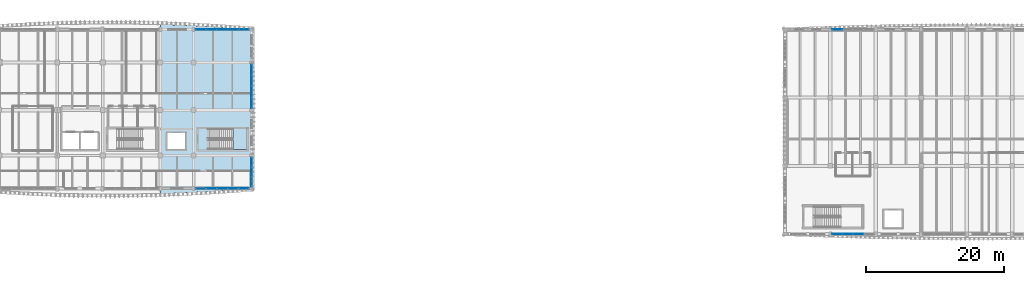
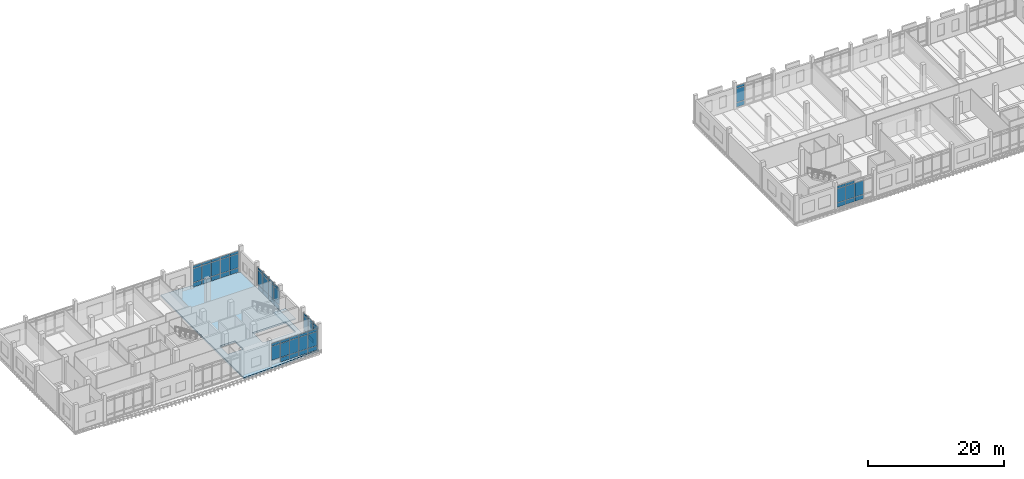
# One storey, part 15 of 39: 61 plates, 2 slabs, 7 elements without a shape of their own.
"""IFC4 building model written with IfcOpenShell, lengths in metres."""

from ifc_helpers import new_model, si_unit, direction, frame, origin, origin_2d, place, context, subcontext, project, spatial, polyline, rectangle, outline, extrude, material, layer, layer_set, type_object, element, aggregate, save


model = new_model("IFC4")

# Units and contexts
model_context = context("Model", 3, precision=1e-05, world=origin(), true_north=direction((0.0, 1.0)))
body_context = subcontext(model_context, "Body", "Model", "MODEL_VIEW")
ifc_project = project(units=[si_unit("LENGTHUNIT", "METRE"), si_unit("AREAUNIT", "SQUARE_METRE"), si_unit("VOLUMEUNIT", "CUBIC_METRE"), si_unit("PLANEANGLEUNIT", "RADIAN"), si_unit("MASSUNIT", "GRAM", prefix="KILO")], contexts=[model_context])

# Site, building, storey
site_placement = place(None, origin())
site = spatial("IfcSite", under=ifc_project, at=site_placement, CompositionType="ELEMENT")
building_placement = place(site_placement, origin())
building = spatial("IfcBuilding", under=site, at=building_placement, Name="Dornvale Research Institute", CompositionType="ELEMENT")
storey_placement = place(building_placement, frame((0.0, 0.0, 24.60009765625)))
storey = spatial("IfcBuildingStorey", under=building, at=storey_placement, Name="L05", CompositionType="ELEMENT", Elevation=24.60009765625)

# Curtain wall, plate
ifc_material_1 = material(Name="Low-E Argon Double Insulating Glazing Unit", Category="glass")
curtain_wall_type_1 = type_object("IfcCurtainWallType", Name="UnitisedCurtainWall_V4_6150x3950", PredefinedType="USERDEFINED", material=ifc_material_1)
curtain_wall_1_placement = place(storey_placement, origin())
curtain_wall_1 = element("IfcCurtainWall", 1, at=curtain_wall_1_placement, inside=storey, type_object=curtain_wall_type_1, Name="L05 V4 unitised curtain wall CW-15 #109", ObjectType="UNITISED CURTAIN WALL", PredefinedType="USERDEFINED")
ifc_material_2 = material(Name="Insulated Ceramic-Frit Spandrel Glass Panel", Category="glass")
ifc_layer_1 = layer(ifc_material_2, 0.0419921875)
ifc_layer_set_1 = layer_set([ifc_layer_1], Name="Insulated Ceramic-Frit Spandrel Glass Panel")
plate_type_1 = type_object("IfcPlateType", Name="CurtainPanel_Spandrel_42", PredefinedType="CURTAIN_PANEL", material=ifc_layer_set_1)
plate_1_placement = place(storey_placement, frame((126.409912109375, 122.10009765625, 0.06494140625), z_axis=(0.0, 0.0, 1.0), x_axis=(1.0, 0.0, 0.0)))
plate_1 = element("IfcPlate", 2, at=plate_1_placement, type_object=plate_type_1, Name="CW-15 panel 1.1", PredefinedType="CURTAIN_PANEL", context=body_context, shape_type="SweptSolid", body=[
    extrude(rectangle(XDim=1.43994140625, YDim=0.0419921875, at=origin_2d()), origin(), (0.0, 0.0, 1.0), 0.75244140625),
])

# Curtain wall, plates
curtain_wall_2_placement = place(storey_placement, origin())
curtain_wall_2 = element("IfcCurtainWall", 3, at=curtain_wall_2_placement, inside=storey, type_object=curtain_wall_type_1, Name="L05 V4 unitised curtain wall CW-15 #116", ObjectType="UNITISED CURTAIN WALL", PredefinedType="USERDEFINED")
plate_2_placement = place(storey_placement, frame((129.46875, 92.39990234375, 0.06494140625), z_axis=(0.0, 0.0, 1.0), x_axis=(-1.0, 0.0, 0.0)))
plate_2 = element("IfcPlate", 4, at=plate_2_placement, type_object=plate_type_1, Name="CW-15 panel 2.1", PredefinedType="CURTAIN_PANEL", context=body_context, shape_type="SweptSolid", body=[
    extrude(rectangle(XDim=1.472412109375, YDim=0.0419921875, at=origin_2d()), origin(), (0.0, 0.0, 1.0), 0.75244140625),
])
plate_3_placement = place(storey_placement, frame((127.93115234375, 92.39990234375, 0.06494140625), z_axis=(0.0, 0.0, 1.0), x_axis=(-1.0, 0.0, 0.0)))
plate_3 = element("IfcPlate", 5, at=plate_3_placement, type_object=plate_type_1, Name="CW-15 panel 3.1", PredefinedType="CURTAIN_PANEL", context=body_context, shape_type="SweptSolid", body=[
    extrude(rectangle(XDim=1.472412109375, YDim=0.0419921875, at=origin_2d()), origin(), (0.0, 0.0, 1.0), 0.75244140625),
])
plate_4_placement = place(storey_placement, frame((126.409912109375, 92.39990234375, 0.06494140625), z_axis=(0.0, 0.0, 1.0), x_axis=(-1.0, 0.0, 0.0)))
plate_4 = element("IfcPlate", 6, at=plate_4_placement, type_object=plate_type_1, Name="CW-15 panel 4.1", PredefinedType="CURTAIN_PANEL", context=body_context, shape_type="SweptSolid", body=[
    extrude(rectangle(XDim=1.43994140625, YDim=0.0419921875, at=origin_2d()), origin(), (0.0, 0.0, 1.0), 0.75244140625),
])

ifc_material_3 = material(Name="Low-E Argon Double Insulating Glazing Unit", Category="glass")
curtain_wall_type_2 = type_object("IfcCurtainWallType", Name="UnitisedCurtainWall_V5_7850x3950", PredefinedType="USERDEFINED", material=ifc_material_3)
curtain_wall_3_placement = place(storey_placement, origin())
curtain_wall_3 = element("IfcCurtainWall", 7, at=curtain_wall_3_placement, inside=storey, type_object=curtain_wall_type_2, Name="L05 V5 unitised curtain wall CW-31 #167", ObjectType="UNITISED CURTAIN WALL", PredefinedType="USERDEFINED")
plate_5_placement = place(storey_placement, frame((34.0263671875, 122.10009765625, 0.06494140625), z_axis=(0.0, 0.0, 1.0), x_axis=(1.0, 0.0, 0.0)))
plate_5 = element("IfcPlate", 8, at=plate_5_placement, type_object=plate_type_1, Name="CW-31 panel 1.1", PredefinedType="CURTAIN_PANEL", context=body_context, shape_type="SweptSolid", body=[
    extrude(rectangle(XDim=1.472412109375, YDim=0.0419921875, at=origin_2d()), origin(), (0.0, 0.0, 1.0), 0.75244140625),
])
plate_6_placement = place(storey_placement, frame((35.580078125, 122.10009765625, 0.06494140625), z_axis=(0.0, 0.0, 1.0), x_axis=(1.0, 0.0, 0.0)))
plate_6 = element("IfcPlate", 9, at=plate_6_placement, type_object=plate_type_1, Name="CW-31 panel 2.1", PredefinedType="CURTAIN_PANEL", context=body_context, shape_type="SweptSolid", body=[
    extrude(rectangle(XDim=1.5048828125, YDim=0.0419921875, at=origin_2d()), origin(), (0.0, 0.0, 1.0), 0.75244140625),
])
plate_7_placement = place(storey_placement, frame((37.14990234375, 122.10009765625, 0.06494140625), z_axis=(0.0, 0.0, 1.0), x_axis=(1.0, 0.0, 0.0)))
plate_7 = element("IfcPlate", 10, at=plate_7_placement, type_object=plate_type_1, Name="CW-31 panel 3.1", PredefinedType="CURTAIN_PANEL", context=body_context, shape_type="SweptSolid", body=[
    extrude(rectangle(XDim=1.5048828125, YDim=0.0419921875, at=origin_2d()), origin(), (0.0, 0.0, 1.0), 0.75244140625),
])
plate_8_placement = place(storey_placement, frame((38.719970703125, 122.10009765625, 0.06494140625), z_axis=(0.0, 0.0, 1.0), x_axis=(1.0, 0.0, 0.0)))
plate_8 = element("IfcPlate", 11, at=plate_8_placement, type_object=plate_type_1, Name="CW-31 panel 4.1", PredefinedType="CURTAIN_PANEL", context=body_context, shape_type="SweptSolid", body=[
    extrude(rectangle(XDim=1.5048828125, YDim=0.0419921875, at=origin_2d()), origin(), (0.0, 0.0, 1.0), 0.75244140625),
])
plate_9_placement = place(storey_placement, frame((40.273681640625, 122.10009765625, 0.06494140625), z_axis=(0.0, 0.0, 1.0), x_axis=(1.0, 0.0, 0.0)))
plate_9 = element("IfcPlate", 12, at=plate_9_placement, type_object=plate_type_1, Name="CW-31 panel 5.1", PredefinedType="CURTAIN_PANEL", context=body_context, shape_type="SweptSolid", body=[
    extrude(rectangle(XDim=1.472412109375, YDim=0.0419921875, at=origin_2d()), origin(), (0.0, 0.0, 1.0), 0.75244140625),
])

ifc_material_4 = material(Name="Low-E Argon Double Insulating Glazing Unit", Category="glass")
curtain_wall_type_3 = type_object("IfcCurtainWallType", Name="UnitisedCurtainWall_V5_6450x3950", PredefinedType="USERDEFINED", material=ifc_material_4)
curtain_wall_4_placement = place(storey_placement, origin())
curtain_wall_4 = element("IfcCurtainWall", 13, at=curtain_wall_4_placement, inside=storey, type_object=curtain_wall_type_3, Name="L05 V5 unitised curtain wall CW-32 #168", ObjectType="UNITISED CURTAIN WALL", PredefinedType="USERDEFINED")
plate_10_placement = place(storey_placement, frame((41.39990234375, 116.25244140625, 0.06494140625), z_axis=(0.0, 0.0, 1.0), x_axis=(0.0, -1.0, 0.0)))
plate_10 = element("IfcPlate", 14, at=plate_10_placement, type_object=plate_type_1, Name="CW-32 panel 1.1", PredefinedType="CURTAIN_PANEL", context=body_context, shape_type="SweptSolid", body=[
    extrude(rectangle(XDim=1.514892578125, YDim=0.0419921875, at=origin_2d()), origin(), (0.0, 0.0, 1.0), 0.75244140625),
])
plate_11_placement = place(storey_placement, frame((41.39990234375, 114.65625, 0.06494140625), z_axis=(0.0, 0.0, 1.0), x_axis=(0.0, -1.0, 0.0)))
plate_11 = element("IfcPlate", 15, at=plate_11_placement, type_object=plate_type_1, Name="CW-32 panel 2.1", PredefinedType="CURTAIN_PANEL", context=body_context, shape_type="SweptSolid", body=[
    extrude(rectangle(XDim=1.547607421875, YDim=0.0419921875, at=origin_2d()), origin(), (0.0, 0.0, 1.0), 0.75244140625),
])
plate_12_placement = place(storey_placement, frame((41.39990234375, 113.043701171875, 0.06494140625), z_axis=(0.0, 0.0, 1.0), x_axis=(0.0, -1.0, 0.0)))
plate_12 = element("IfcPlate", 16, at=plate_12_placement, type_object=plate_type_1, Name="CW-32 panel 3.1", PredefinedType="CURTAIN_PANEL", context=body_context, shape_type="SweptSolid", body=[
    extrude(rectangle(XDim=1.547607421875, YDim=0.0419921875, at=origin_2d()), origin(), (0.0, 0.0, 1.0), 0.75244140625),
])
plate_13_placement = place(storey_placement, frame((41.39990234375, 111.447509765625, 0.06494140625), z_axis=(0.0, 0.0, 1.0), x_axis=(0.0, -1.0, 0.0)))
plate_13 = element("IfcPlate", 17, at=plate_13_placement, type_object=plate_type_1, Name="CW-32 panel 4.1", PredefinedType="CURTAIN_PANEL", context=body_context, shape_type="SweptSolid", body=[
    extrude(rectangle(XDim=1.514892578125, YDim=0.0419921875, at=origin_2d()), origin(), (0.0, 0.0, 1.0), 0.75244140625),
])

ifc_material_5 = material(Name="Low-E Argon Double Insulating Glazing Unit", Category="glass")
curtain_wall_type_4 = type_object("IfcCurtainWallType", Name="UnitisedCurtainWall_V5_4350x3950", PredefinedType="USERDEFINED", material=ifc_material_5)
curtain_wall_5_placement = place(storey_placement, origin())
curtain_wall_5 = element("IfcCurtainWall", 18, at=curtain_wall_5_placement, inside=storey, type_object=curtain_wall_type_4, Name="L05 V5 unitised curtain wall CW-33 #169", ObjectType="UNITISED CURTAIN WALL", PredefinedType="USERDEFINED")
plate_14_placement = place(storey_placement, frame((41.39990234375, 102.833740234375, 0.06494140625), z_axis=(0.0, 0.0, 1.0), x_axis=(0.0, -1.0, 0.0)))
plate_14 = element("IfcPlate", 19, at=plate_14_placement, type_object=plate_type_1, Name="CW-33 panel 1.1", PredefinedType="CURTAIN_PANEL", context=body_context, shape_type="SweptSolid", body=[
    extrude(rectangle(XDim=1.3525390625, YDim=0.0419921875, at=origin_2d()), origin(), (0.0, 0.0, 1.0), 0.75244140625),
])
plate_15_placement = place(storey_placement, frame((41.39990234375, 101.39990234375, 0.06494140625), z_axis=(0.0, 0.0, 1.0), x_axis=(0.0, -1.0, 0.0)))
plate_15 = element("IfcPlate", 20, at=plate_15_placement, type_object=plate_type_1, Name="CW-33 panel 2.1", PredefinedType="CURTAIN_PANEL", context=body_context, shape_type="SweptSolid", body=[
    extrude(rectangle(XDim=1.385009765625, YDim=0.0419921875, at=origin_2d()), origin(), (0.0, 0.0, 1.0), 0.75244140625),
])
plate_16_placement = place(storey_placement, frame((41.39990234375, 99.96630859375, 0.06494140625), z_axis=(0.0, 0.0, 1.0), x_axis=(0.0, -1.0, 0.0)))
plate_16 = element("IfcPlate", 21, at=plate_16_placement, type_object=plate_type_1, Name="CW-33 panel 3.1", PredefinedType="CURTAIN_PANEL", context=body_context, shape_type="SweptSolid", body=[
    extrude(rectangle(XDim=1.3525390625, YDim=0.0419921875, at=origin_2d()), origin(), (0.0, 0.0, 1.0), 0.75244140625),
])

curtain_wall_6_placement = place(storey_placement, origin())
curtain_wall_6 = element("IfcCurtainWall", 22, at=curtain_wall_6_placement, inside=storey, type_object=curtain_wall_type_2, Name="L05 V5 unitised curtain wall CW-31 #170", ObjectType="UNITISED CURTAIN WALL", PredefinedType="USERDEFINED")
plate_17_placement = place(storey_placement, frame((40.273681640625, 99.0, 0.06494140625), z_axis=(0.0, 0.0, 1.0), x_axis=(-1.0, 0.0, 0.0)))
plate_17 = element("IfcPlate", 23, at=plate_17_placement, type_object=plate_type_1, Name="CW-31 panel 1.1", PredefinedType="CURTAIN_PANEL", context=body_context, shape_type="SweptSolid", body=[
    extrude(rectangle(XDim=1.472412109375, YDim=0.0419921875, at=origin_2d()), origin(), (0.0, 0.0, 1.0), 0.75244140625),
])
plate_18_placement = place(storey_placement, frame((38.719970703125, 99.0, 0.06494140625), z_axis=(0.0, 0.0, 1.0), x_axis=(-1.0, 0.0, 0.0)))
plate_18 = element("IfcPlate", 24, at=plate_18_placement, type_object=plate_type_1, Name="CW-31 panel 2.1", PredefinedType="CURTAIN_PANEL", context=body_context, shape_type="SweptSolid", body=[
    extrude(rectangle(XDim=1.5048828125, YDim=0.0419921875, at=origin_2d()), origin(), (0.0, 0.0, 1.0), 0.75244140625),
])
plate_19_placement = place(storey_placement, frame((37.14990234375, 99.0, 0.06494140625), z_axis=(0.0, 0.0, 1.0), x_axis=(-1.0, 0.0, 0.0)))
plate_19 = element("IfcPlate", 25, at=plate_19_placement, type_object=plate_type_1, Name="CW-31 panel 3.1", PredefinedType="CURTAIN_PANEL", context=body_context, shape_type="SweptSolid", body=[
    extrude(rectangle(XDim=1.5048828125, YDim=0.0419921875, at=origin_2d()), origin(), (0.0, 0.0, 1.0), 0.75244140625),
])
plate_20_placement = place(storey_placement, frame((35.580078125, 99.0, 0.06494140625), z_axis=(0.0, 0.0, 1.0), x_axis=(-1.0, 0.0, 0.0)))
plate_20 = element("IfcPlate", 26, at=plate_20_placement, type_object=plate_type_1, Name="CW-31 panel 4.1", PredefinedType="CURTAIN_PANEL", context=body_context, shape_type="SweptSolid", body=[
    extrude(rectangle(XDim=1.5048828125, YDim=0.0419921875, at=origin_2d()), origin(), (0.0, 0.0, 1.0), 0.75244140625),
])

# Plate
ifc_material_6 = material(Name="Low-E Argon Double Insulating Glazing Unit", Category="glass")
ifc_layer_2 = layer(ifc_material_6, 0.028076171875)
ifc_layer_set_2 = layer_set([ifc_layer_2], Name="Low-E Argon Double Insulating Glazing Unit")
plate_type_2 = type_object("IfcPlateType", Name="CurtainPanel_Vision_28", PredefinedType="CURTAIN_PANEL", material=ifc_layer_set_2)
plate_21_placement = place(storey_placement, frame((126.409912109375, 122.10009765625, 0.88232421875), z_axis=(0.0, 0.0, 1.0), x_axis=(1.0, 0.0, 0.0)))
plate_21 = element("IfcPlate", 27, at=plate_21_placement, type_object=plate_type_2, Name="CW-15 panel 1.2", PredefinedType="CURTAIN_PANEL", context=body_context, shape_type="SweptSolid", body=[
    extrude(rectangle(XDim=1.43994140625, YDim=0.028076171875, at=origin_2d()), origin(), (0.0, 0.0, 1.0), 2.485107421875),
])

plate_22_placement = place(storey_placement, frame((126.409912109375, 122.10009765625, 3.4326171875), z_axis=(0.0, 0.0, 1.0), x_axis=(1.0, 0.0, 0.0)))
plate_22 = element("IfcPlate", 28, at=plate_22_placement, type_object=plate_type_2, Name="CW-15 panel 1.3", PredefinedType="CURTAIN_PANEL", context=body_context, shape_type="SweptSolid", body=[
    extrude(rectangle(XDim=1.43994140625, YDim=0.028076171875, at=origin_2d()), origin(), (0.0, 0.0, 1.0), 0.452392578125),
])

aggregate(curtain_wall_1, [plate_1, plate_21, plate_22])

plate_23_placement = place(storey_placement, frame((129.46875, 92.39990234375, 0.88232421875), z_axis=(0.0, 0.0, 1.0), x_axis=(-1.0, 0.0, 0.0)))
plate_23 = element("IfcPlate", 29, at=plate_23_placement, type_object=plate_type_2, Name="CW-15 panel 2.2", PredefinedType="CURTAIN_PANEL", context=body_context, shape_type="SweptSolid", body=[
    extrude(rectangle(XDim=1.472412109375, YDim=0.028076171875, at=origin_2d()), origin(), (0.0, 0.0, 1.0), 2.485107421875),
])

plate_24_placement = place(storey_placement, frame((127.93115234375, 92.39990234375, 0.88232421875), z_axis=(0.0, 0.0, 1.0), x_axis=(-1.0, 0.0, 0.0)))
plate_24 = element("IfcPlate", 30, at=plate_24_placement, type_object=plate_type_2, Name="CW-15 panel 3.2", PredefinedType="CURTAIN_PANEL", context=body_context, shape_type="SweptSolid", body=[
    extrude(rectangle(XDim=1.472412109375, YDim=0.028076171875, at=origin_2d()), origin(), (0.0, 0.0, 1.0), 2.485107421875),
])

plate_25_placement = place(storey_placement, frame((127.93115234375, 92.39990234375, 3.4326171875), z_axis=(0.0, 0.0, 1.0), x_axis=(-1.0, 0.0, 0.0)))
plate_25 = element("IfcPlate", 31, at=plate_25_placement, type_object=plate_type_2, Name="CW-15 panel 3.3", PredefinedType="CURTAIN_PANEL", context=body_context, shape_type="SweptSolid", body=[
    extrude(rectangle(XDim=1.472412109375, YDim=0.028076171875, at=origin_2d()), origin(), (0.0, 0.0, 1.0), 0.452392578125),
])

plate_26_placement = place(storey_placement, frame((126.409912109375, 92.39990234375, 0.88232421875), z_axis=(0.0, 0.0, 1.0), x_axis=(-1.0, 0.0, 0.0)))
plate_26 = element("IfcPlate", 32, at=plate_26_placement, type_object=plate_type_2, Name="CW-15 panel 4.2", PredefinedType="CURTAIN_PANEL", context=body_context, shape_type="SweptSolid", body=[
    extrude(rectangle(XDim=1.43994140625, YDim=0.028076171875, at=origin_2d()), origin(), (0.0, 0.0, 1.0), 2.485107421875),
])

plate_27_placement = place(storey_placement, frame((126.409912109375, 92.39990234375, 3.4326171875), z_axis=(0.0, 0.0, 1.0), x_axis=(-1.0, 0.0, 0.0)))
plate_27 = element("IfcPlate", 33, at=plate_27_placement, type_object=plate_type_2, Name="CW-15 panel 4.3", PredefinedType="CURTAIN_PANEL", context=body_context, shape_type="SweptSolid", body=[
    extrude(rectangle(XDim=1.43994140625, YDim=0.028076171875, at=origin_2d()), origin(), (0.0, 0.0, 1.0), 0.452392578125),
])

aggregate(curtain_wall_2, [plate_2, plate_23, plate_3, plate_24, plate_25, plate_4, plate_26, plate_27])

plate_28_placement = place(storey_placement, frame((34.0263671875, 122.10009765625, 0.88232421875), z_axis=(0.0, 0.0, 1.0), x_axis=(1.0, 0.0, 0.0)))
plate_28 = element("IfcPlate", 34, at=plate_28_placement, type_object=plate_type_2, Name="CW-31 panel 1.2", PredefinedType="CURTAIN_PANEL", context=body_context, shape_type="SweptSolid", body=[
    extrude(rectangle(XDim=1.472412109375, YDim=0.028076171875, at=origin_2d()), origin(), (0.0, 0.0, 1.0), 2.485107421875),
])

plate_29_placement = place(storey_placement, frame((34.0263671875, 122.10009765625, 3.4326171875), z_axis=(0.0, 0.0, 1.0), x_axis=(1.0, 0.0, 0.0)))
plate_29 = element("IfcPlate", 35, at=plate_29_placement, type_object=plate_type_2, Name="CW-31 panel 1.3", PredefinedType="CURTAIN_PANEL", context=body_context, shape_type="SweptSolid", body=[
    extrude(rectangle(XDim=1.472412109375, YDim=0.028076171875, at=origin_2d()), origin(), (0.0, 0.0, 1.0), 0.452392578125),
])

plate_30_placement = place(storey_placement, frame((35.580078125, 122.10009765625, 0.88232421875), z_axis=(0.0, 0.0, 1.0), x_axis=(1.0, 0.0, 0.0)))
plate_30 = element("IfcPlate", 36, at=plate_30_placement, type_object=plate_type_2, Name="CW-31 panel 2.2", PredefinedType="CURTAIN_PANEL", context=body_context, shape_type="SweptSolid", body=[
    extrude(rectangle(XDim=1.5048828125, YDim=0.028076171875, at=origin_2d()), origin(), (0.0, 0.0, 1.0), 2.485107421875),
])

plate_31_placement = place(storey_placement, frame((35.580078125, 122.10009765625, 3.4326171875), z_axis=(0.0, 0.0, 1.0), x_axis=(1.0, 0.0, 0.0)))
plate_31 = element("IfcPlate", 37, at=plate_31_placement, type_object=plate_type_2, Name="CW-31 panel 2.3", PredefinedType="CURTAIN_PANEL", context=body_context, shape_type="SweptSolid", body=[
    extrude(rectangle(XDim=1.5048828125, YDim=0.028076171875, at=origin_2d()), origin(), (0.0, 0.0, 1.0), 0.452392578125),
])

plate_32_placement = place(storey_placement, frame((37.14990234375, 122.10009765625, 0.88232421875), z_axis=(0.0, 0.0, 1.0), x_axis=(1.0, 0.0, 0.0)))
plate_32 = element("IfcPlate", 38, at=plate_32_placement, type_object=plate_type_2, Name="CW-31 panel 3.2", PredefinedType="CURTAIN_PANEL", context=body_context, shape_type="SweptSolid", body=[
    extrude(rectangle(XDim=1.5048828125, YDim=0.028076171875, at=origin_2d()), origin(), (0.0, 0.0, 1.0), 2.485107421875),
])

plate_33_placement = place(storey_placement, frame((37.14990234375, 122.10009765625, 3.4326171875), z_axis=(0.0, 0.0, 1.0), x_axis=(1.0, 0.0, 0.0)))
plate_33 = element("IfcPlate", 39, at=plate_33_placement, type_object=plate_type_2, Name="CW-31 panel 3.3", PredefinedType="CURTAIN_PANEL", context=body_context, shape_type="SweptSolid", body=[
    extrude(rectangle(XDim=1.5048828125, YDim=0.028076171875, at=origin_2d()), origin(), (0.0, 0.0, 1.0), 0.452392578125),
])

plate_34_placement = place(storey_placement, frame((38.719970703125, 122.10009765625, 0.88232421875), z_axis=(0.0, 0.0, 1.0), x_axis=(1.0, 0.0, 0.0)))
plate_34 = element("IfcPlate", 40, at=plate_34_placement, type_object=plate_type_2, Name="CW-31 panel 4.2", PredefinedType="CURTAIN_PANEL", context=body_context, shape_type="SweptSolid", body=[
    extrude(rectangle(XDim=1.5048828125, YDim=0.028076171875, at=origin_2d()), origin(), (0.0, 0.0, 1.0), 2.485107421875),
])

plate_35_placement = place(storey_placement, frame((38.719970703125, 122.10009765625, 3.4326171875), z_axis=(0.0, 0.0, 1.0), x_axis=(1.0, 0.0, 0.0)))
plate_35 = element("IfcPlate", 41, at=plate_35_placement, type_object=plate_type_2, Name="CW-31 panel 4.3", PredefinedType="CURTAIN_PANEL", context=body_context, shape_type="SweptSolid", body=[
    extrude(rectangle(XDim=1.5048828125, YDim=0.028076171875, at=origin_2d()), origin(), (0.0, 0.0, 1.0), 0.452392578125),
])

plate_36_placement = place(storey_placement, frame((40.273681640625, 122.10009765625, 0.88232421875), z_axis=(0.0, 0.0, 1.0), x_axis=(1.0, 0.0, 0.0)))
plate_36 = element("IfcPlate", 42, at=plate_36_placement, type_object=plate_type_2, Name="CW-31 panel 5.2", PredefinedType="CURTAIN_PANEL", context=body_context, shape_type="SweptSolid", body=[
    extrude(rectangle(XDim=1.472412109375, YDim=0.028076171875, at=origin_2d()), origin(), (0.0, 0.0, 1.0), 2.485107421875),
])

plate_37_placement = place(storey_placement, frame((40.273681640625, 122.10009765625, 3.4326171875), z_axis=(0.0, 0.0, 1.0), x_axis=(1.0, 0.0, 0.0)))
plate_37 = element("IfcPlate", 43, at=plate_37_placement, type_object=plate_type_2, Name="CW-31 panel 5.3", PredefinedType="CURTAIN_PANEL", context=body_context, shape_type="SweptSolid", body=[
    extrude(rectangle(XDim=1.472412109375, YDim=0.028076171875, at=origin_2d()), origin(), (0.0, 0.0, 1.0), 0.452392578125),
])

aggregate(curtain_wall_3, [plate_5, plate_28, plate_29, plate_6, plate_30, plate_31, plate_7, plate_32, plate_33, plate_8, plate_34, plate_35, plate_9, plate_36, plate_37])

plate_38_placement = place(storey_placement, frame((41.39990234375, 116.25244140625, 0.88232421875), z_axis=(0.0, 0.0, 1.0), x_axis=(0.0, -1.0, 0.0)))
plate_38 = element("IfcPlate", 44, at=plate_38_placement, type_object=plate_type_2, Name="CW-32 panel 1.2", PredefinedType="CURTAIN_PANEL", context=body_context, shape_type="SweptSolid", body=[
    extrude(rectangle(XDim=1.514892578125, YDim=0.028076171875, at=origin_2d()), origin(), (0.0, 0.0, 1.0), 2.485107421875),
])

plate_39_placement = place(storey_placement, frame((41.39990234375, 116.25244140625, 3.4326171875), z_axis=(0.0, 0.0, 1.0), x_axis=(0.0, -1.0, 0.0)))
plate_39 = element("IfcPlate", 45, at=plate_39_placement, type_object=plate_type_2, Name="CW-32 panel 1.3", PredefinedType="CURTAIN_PANEL", context=body_context, shape_type="SweptSolid", body=[
    extrude(rectangle(XDim=1.514892578125, YDim=0.028076171875, at=origin_2d()), origin(), (0.0, 0.0, 1.0), 0.452392578125),
])

plate_40_placement = place(storey_placement, frame((41.39990234375, 114.65625, 0.88232421875), z_axis=(0.0, 0.0, 1.0), x_axis=(0.0, -1.0, 0.0)))
plate_40 = element("IfcPlate", 46, at=plate_40_placement, type_object=plate_type_2, Name="CW-32 panel 2.2", PredefinedType="CURTAIN_PANEL", context=body_context, shape_type="SweptSolid", body=[
    extrude(rectangle(XDim=1.547607421875, YDim=0.028076171875, at=origin_2d()), origin(), (0.0, 0.0, 1.0), 2.485107421875),
])

plate_41_placement = place(storey_placement, frame((41.39990234375, 114.65625, 3.4326171875), z_axis=(0.0, 0.0, 1.0), x_axis=(0.0, -1.0, 0.0)))
plate_41 = element("IfcPlate", 47, at=plate_41_placement, type_object=plate_type_2, Name="CW-32 panel 2.3", PredefinedType="CURTAIN_PANEL", context=body_context, shape_type="SweptSolid", body=[
    extrude(rectangle(XDim=1.547607421875, YDim=0.028076171875, at=origin_2d()), origin(), (0.0, 0.0, 1.0), 0.452392578125),
])

plate_42_placement = place(storey_placement, frame((41.39990234375, 113.043701171875, 0.88232421875), z_axis=(0.0, 0.0, 1.0), x_axis=(0.0, -1.0, 0.0)))
plate_42 = element("IfcPlate", 48, at=plate_42_placement, type_object=plate_type_2, Name="CW-32 panel 3.2", PredefinedType="CURTAIN_PANEL", context=body_context, shape_type="SweptSolid", body=[
    extrude(rectangle(XDim=1.547607421875, YDim=0.028076171875, at=origin_2d()), origin(), (0.0, 0.0, 1.0), 2.485107421875),
])

plate_43_placement = place(storey_placement, frame((41.39990234375, 113.043701171875, 3.4326171875), z_axis=(0.0, 0.0, 1.0), x_axis=(0.0, -1.0, 0.0)))
plate_43 = element("IfcPlate", 49, at=plate_43_placement, type_object=plate_type_2, Name="CW-32 panel 3.3", PredefinedType="CURTAIN_PANEL", context=body_context, shape_type="SweptSolid", body=[
    extrude(rectangle(XDim=1.547607421875, YDim=0.028076171875, at=origin_2d()), origin(), (0.0, 0.0, 1.0), 0.452392578125),
])

plate_44_placement = place(storey_placement, frame((41.39990234375, 111.447509765625, 0.88232421875), z_axis=(0.0, 0.0, 1.0), x_axis=(0.0, -1.0, 0.0)))
plate_44 = element("IfcPlate", 50, at=plate_44_placement, type_object=plate_type_2, Name="CW-32 panel 4.2", PredefinedType="CURTAIN_PANEL", context=body_context, shape_type="SweptSolid", body=[
    extrude(rectangle(XDim=1.514892578125, YDim=0.028076171875, at=origin_2d()), origin(), (0.0, 0.0, 1.0), 2.485107421875),
])

plate_45_placement = place(storey_placement, frame((41.39990234375, 111.447509765625, 3.4326171875), z_axis=(0.0, 0.0, 1.0), x_axis=(0.0, -1.0, 0.0)))
plate_45 = element("IfcPlate", 51, at=plate_45_placement, type_object=plate_type_2, Name="CW-32 panel 4.3", PredefinedType="CURTAIN_PANEL", context=body_context, shape_type="SweptSolid", body=[
    extrude(rectangle(XDim=1.514892578125, YDim=0.028076171875, at=origin_2d()), origin(), (0.0, 0.0, 1.0), 0.452392578125),
])

aggregate(curtain_wall_4, [plate_10, plate_38, plate_39, plate_11, plate_40, plate_41, plate_12, plate_42, plate_43, plate_13, plate_44, plate_45])

plate_46_placement = place(storey_placement, frame((41.39990234375, 102.833740234375, 0.88232421875), z_axis=(0.0, 0.0, 1.0), x_axis=(0.0, -1.0, 0.0)))
plate_46 = element("IfcPlate", 52, at=plate_46_placement, type_object=plate_type_2, Name="CW-33 panel 1.2", PredefinedType="CURTAIN_PANEL", context=body_context, shape_type="SweptSolid", body=[
    extrude(rectangle(XDim=1.3525390625, YDim=0.028076171875, at=origin_2d()), origin(), (0.0, 0.0, 1.0), 2.485107421875),
])

plate_47_placement = place(storey_placement, frame((41.39990234375, 102.833740234375, 3.4326171875), z_axis=(0.0, 0.0, 1.0), x_axis=(0.0, -1.0, 0.0)))
plate_47 = element("IfcPlate", 53, at=plate_47_placement, type_object=plate_type_2, Name="CW-33 panel 1.3", PredefinedType="CURTAIN_PANEL", context=body_context, shape_type="SweptSolid", body=[
    extrude(rectangle(XDim=1.3525390625, YDim=0.028076171875, at=origin_2d()), origin(), (0.0, 0.0, 1.0), 0.452392578125),
])

plate_48_placement = place(storey_placement, frame((41.39990234375, 101.39990234375, 0.88232421875), z_axis=(0.0, 0.0, 1.0), x_axis=(0.0, -1.0, 0.0)))
plate_48 = element("IfcPlate", 54, at=plate_48_placement, type_object=plate_type_2, Name="CW-33 panel 2.2", PredefinedType="CURTAIN_PANEL", context=body_context, shape_type="SweptSolid", body=[
    extrude(rectangle(XDim=1.385009765625, YDim=0.028076171875, at=origin_2d()), origin(), (0.0, 0.0, 1.0), 2.485107421875),
])

plate_49_placement = place(storey_placement, frame((41.39990234375, 101.39990234375, 3.4326171875), z_axis=(0.0, 0.0, 1.0), x_axis=(0.0, -1.0, 0.0)))
plate_49 = element("IfcPlate", 55, at=plate_49_placement, type_object=plate_type_2, Name="CW-33 panel 2.3", PredefinedType="CURTAIN_PANEL", context=body_context, shape_type="SweptSolid", body=[
    extrude(rectangle(XDim=1.385009765625, YDim=0.028076171875, at=origin_2d()), origin(), (0.0, 0.0, 1.0), 0.452392578125),
])

plate_50_placement = place(storey_placement, frame((41.39990234375, 99.96630859375, 0.88232421875), z_axis=(0.0, 0.0, 1.0), x_axis=(0.0, -1.0, 0.0)))
plate_50 = element("IfcPlate", 56, at=plate_50_placement, type_object=plate_type_2, Name="CW-33 panel 3.2", PredefinedType="CURTAIN_PANEL", context=body_context, shape_type="SweptSolid", body=[
    extrude(rectangle(XDim=1.3525390625, YDim=0.028076171875, at=origin_2d()), origin(), (0.0, 0.0, 1.0), 2.485107421875),
])

plate_51_placement = place(storey_placement, frame((41.39990234375, 99.96630859375, 3.4326171875), z_axis=(0.0, 0.0, 1.0), x_axis=(0.0, -1.0, 0.0)))
plate_51 = element("IfcPlate", 57, at=plate_51_placement, type_object=plate_type_2, Name="CW-33 panel 3.3", PredefinedType="CURTAIN_PANEL", context=body_context, shape_type="SweptSolid", body=[
    extrude(rectangle(XDim=1.3525390625, YDim=0.028076171875, at=origin_2d()), origin(), (0.0, 0.0, 1.0), 0.452392578125),
])

aggregate(curtain_wall_5, [plate_14, plate_46, plate_47, plate_15, plate_48, plate_49, plate_16, plate_50, plate_51])

plate_52_placement = place(storey_placement, frame((40.273681640625, 99.0, 0.88232421875), z_axis=(0.0, 0.0, 1.0), x_axis=(-1.0, 0.0, 0.0)))
plate_52 = element("IfcPlate", 58, at=plate_52_placement, type_object=plate_type_2, Name="CW-31 panel 1.2", PredefinedType="CURTAIN_PANEL", context=body_context, shape_type="SweptSolid", body=[
    extrude(rectangle(XDim=1.472412109375, YDim=0.028076171875, at=origin_2d()), origin(), (0.0, 0.0, 1.0), 2.485107421875),
])

plate_53_placement = place(storey_placement, frame((40.273681640625, 99.0, 3.4326171875), z_axis=(0.0, 0.0, 1.0), x_axis=(-1.0, 0.0, 0.0)))
plate_53 = element("IfcPlate", 59, at=plate_53_placement, type_object=plate_type_2, Name="CW-31 panel 1.3", PredefinedType="CURTAIN_PANEL", context=body_context, shape_type="SweptSolid", body=[
    extrude(rectangle(XDim=1.472412109375, YDim=0.028076171875, at=origin_2d()), origin(), (0.0, 0.0, 1.0), 0.452392578125),
])

plate_54_placement = place(storey_placement, frame((38.719970703125, 99.0, 0.88232421875), z_axis=(0.0, 0.0, 1.0), x_axis=(-1.0, 0.0, 0.0)))
plate_54 = element("IfcPlate", 60, at=plate_54_placement, type_object=plate_type_2, Name="CW-31 panel 2.2", PredefinedType="CURTAIN_PANEL", context=body_context, shape_type="SweptSolid", body=[
    extrude(rectangle(XDim=1.5048828125, YDim=0.028076171875, at=origin_2d()), origin(), (0.0, 0.0, 1.0), 2.485107421875),
])

plate_55_placement = place(storey_placement, frame((38.719970703125, 99.0, 3.4326171875), z_axis=(0.0, 0.0, 1.0), x_axis=(-1.0, 0.0, 0.0)))
plate_55 = element("IfcPlate", 61, at=plate_55_placement, type_object=plate_type_2, Name="CW-31 panel 2.3", PredefinedType="CURTAIN_PANEL", context=body_context, shape_type="SweptSolid", body=[
    extrude(rectangle(XDim=1.5048828125, YDim=0.028076171875, at=origin_2d()), origin(), (0.0, 0.0, 1.0), 0.452392578125),
])

plate_56_placement = place(storey_placement, frame((37.14990234375, 99.0, 0.88232421875), z_axis=(0.0, 0.0, 1.0), x_axis=(-1.0, 0.0, 0.0)))
plate_56 = element("IfcPlate", 62, at=plate_56_placement, type_object=plate_type_2, Name="CW-31 panel 3.2", PredefinedType="CURTAIN_PANEL", context=body_context, shape_type="SweptSolid", body=[
    extrude(rectangle(XDim=1.5048828125, YDim=0.028076171875, at=origin_2d()), origin(), (0.0, 0.0, 1.0), 2.485107421875),
])

plate_57_placement = place(storey_placement, frame((37.14990234375, 99.0, 3.4326171875), z_axis=(0.0, 0.0, 1.0), x_axis=(-1.0, 0.0, 0.0)))
plate_57 = element("IfcPlate", 63, at=plate_57_placement, type_object=plate_type_2, Name="CW-31 panel 3.3", PredefinedType="CURTAIN_PANEL", context=body_context, shape_type="SweptSolid", body=[
    extrude(rectangle(XDim=1.5048828125, YDim=0.028076171875, at=origin_2d()), origin(), (0.0, 0.0, 1.0), 0.452392578125),
])

plate_58_placement = place(storey_placement, frame((35.580078125, 99.0, 0.88232421875), z_axis=(0.0, 0.0, 1.0), x_axis=(-1.0, 0.0, 0.0)))
plate_58 = element("IfcPlate", 64, at=plate_58_placement, type_object=plate_type_2, Name="CW-31 panel 4.2", PredefinedType="CURTAIN_PANEL", context=body_context, shape_type="SweptSolid", body=[
    extrude(rectangle(XDim=1.5048828125, YDim=0.028076171875, at=origin_2d()), origin(), (0.0, 0.0, 1.0), 2.485107421875),
])

plate_59_placement = place(storey_placement, frame((35.580078125, 99.0, 3.4326171875), z_axis=(0.0, 0.0, 1.0), x_axis=(-1.0, 0.0, 0.0)))
plate_59 = element("IfcPlate", 65, at=plate_59_placement, type_object=plate_type_2, Name="CW-31 panel 4.3", PredefinedType="CURTAIN_PANEL", context=body_context, shape_type="SweptSolid", body=[
    extrude(rectangle(XDim=1.5048828125, YDim=0.028076171875, at=origin_2d()), origin(), (0.0, 0.0, 1.0), 0.452392578125),
])

plate_60_placement = place(storey_placement, frame((34.0263671875, 99.0, 0.88232421875), z_axis=(0.0, 0.0, 1.0), x_axis=(-1.0, 0.0, 0.0)))
plate_60 = element("IfcPlate", 66, at=plate_60_placement, type_object=plate_type_2, Name="CW-31 panel 5.2", PredefinedType="CURTAIN_PANEL", context=body_context, shape_type="SweptSolid", body=[
    extrude(rectangle(XDim=1.472412109375, YDim=0.028076171875, at=origin_2d()), origin(), (0.0, 0.0, 1.0), 2.485107421875),
])

plate_61_placement = place(storey_placement, frame((34.0263671875, 99.0, 3.4326171875), z_axis=(0.0, 0.0, 1.0), x_axis=(-1.0, 0.0, 0.0)))
plate_61 = element("IfcPlate", 67, at=plate_61_placement, type_object=plate_type_2, Name="CW-31 panel 5.3", PredefinedType="CURTAIN_PANEL", context=body_context, shape_type="SweptSolid", body=[
    extrude(rectangle(XDim=1.472412109375, YDim=0.028076171875, at=origin_2d()), origin(), (0.0, 0.0, 1.0), 0.452392578125),
])

aggregate(curtain_wall_6, [plate_17, plate_52, plate_53, plate_18, plate_54, plate_55, plate_19, plate_56, plate_57, plate_20, plate_58, plate_59, plate_60, plate_61])

# Slab
ifc_material_7 = material(Name="Concrete f'c 45 MPa (C35/45)", Category="concrete")
ifc_layer_3 = layer(ifc_material_7, 0.300048828125)
ifc_layer_set_3 = layer_set([ifc_layer_3], Name="Concrete f'c 45 MPa (C35/45)")
slab_type_1 = type_object("IfcSlabType", Name="FloorSlab_DryLab_300", PredefinedType="FLOOR", material=ifc_layer_set_3)
slab_1_placement = place(storey_placement, frame((0.0, 0.0, -0.300048828125)))
element("IfcSlab", 68, at=slab_1_placement, inside=storey, type_object=slab_type_1, Name="L05 V5 E floor slab", PredefinedType="FLOOR", context=body_context, shape_type="SweptSolid", body=[
    extrude(outline(polyline([(29.80810546875, 122.785400390625), (31.464111328125, 122.72021484375), (33.1201171875, 122.64404296875), (34.77587890625, 122.556884765625), (36.431884765625, 122.458984375), (38.087890625, 122.35009765625), (39.743896484375, 122.230712890625), (41.39990234375, 122.10009765625), (41.39990234375, 99.0), (39.743896484375, 98.869384765625), (38.087890625, 98.749755859375), (36.431884765625, 98.64111328125), (34.77587890625, 98.54296875), (33.1201171875, 98.4560546875), (31.464111328125, 98.3798828125), (29.80810546875, 98.314697265625), (28.199951171875, 98.26171875), (28.199951171875, 122.838134765625), (29.80810546875, 122.785400390625)]), holes=[polyline([(35.10009765625, 104.699951171875), (40.699951171875, 104.699951171875), (40.699951171875, 107.659912109375), (35.10009765625, 107.659912109375), (35.10009765625, 104.699951171875)]), polyline([(29.199951171875, 104.699951171875), (31.800048828125, 104.699951171875), (31.800048828125, 107.10009765625), (29.199951171875, 107.10009765625), (29.199951171875, 104.699951171875)])]), origin(), (0.0, 0.0, 1.0), 0.300048828125),
])

# Stair, slab
ifc_material_8 = material(Name="Concrete f'c 45 MPa (C35/45)", Category="concrete")
stair_type = type_object("IfcStairType", Name="HalfTurnStair_RC", PredefinedType="HALF_TURN_STAIR", material=ifc_material_8)
stair_placement = place(storey_placement, origin())
stair = element("IfcStair", 69, at=stair_placement, inside=storey, type_object=stair_type, Name="L05 Exit stair ST-2", PredefinedType="HALF_TURN_STAIR")
ifc_material_9 = material(Name="Concrete f'c 45 MPa (C35/45)", Category="concrete")
ifc_layer_4 = layer(ifc_material_9, 0.199951171875)
ifc_layer_set_4 = layer_set([ifc_layer_4], Name="Concrete f'c 45 MPa (C35/45)")
slab_type_2 = type_object("IfcSlabType", Name="Landing_Stair_200", PredefinedType="LANDING", material=ifc_layer_set_4)
slab_2_placement = place(storey_placement, frame((0.0, 0.0, 2.199951171875)))
slab_2 = element("IfcSlab", 70, at=slab_2_placement, type_object=slab_type_2, Name="ST-2 landing 1", PredefinedType="LANDING", context=body_context, shape_type="SweptSolid", body=[
    extrude(outline(polyline([(38.7099609375, 104.669921875), (38.7099609375, 107.68994140625), (40.72998046875, 107.68994140625), (40.72998046875, 104.669921875), (38.7099609375, 104.669921875)])), origin(), (0.0, 0.0, 1.0), 0.199951171875),
])
aggregate(stair, [slab_2])

save(model, "model.ifc")
